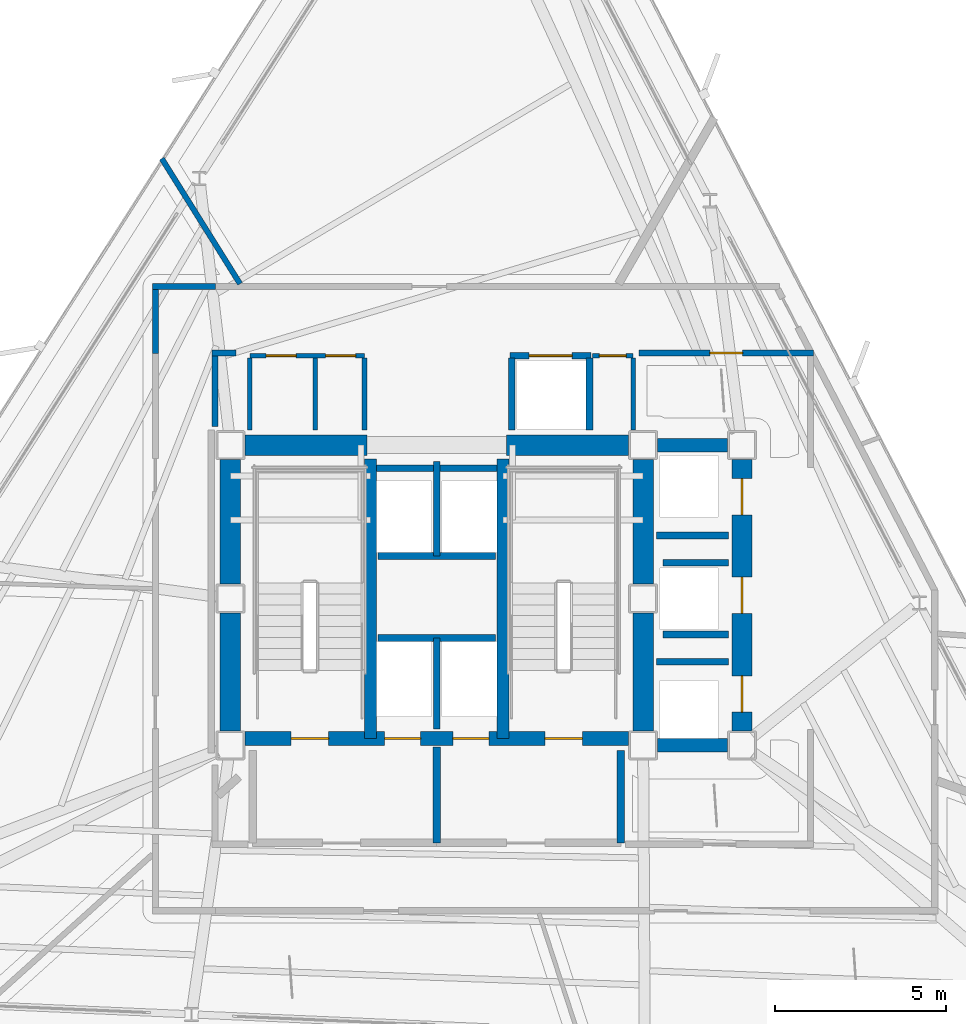
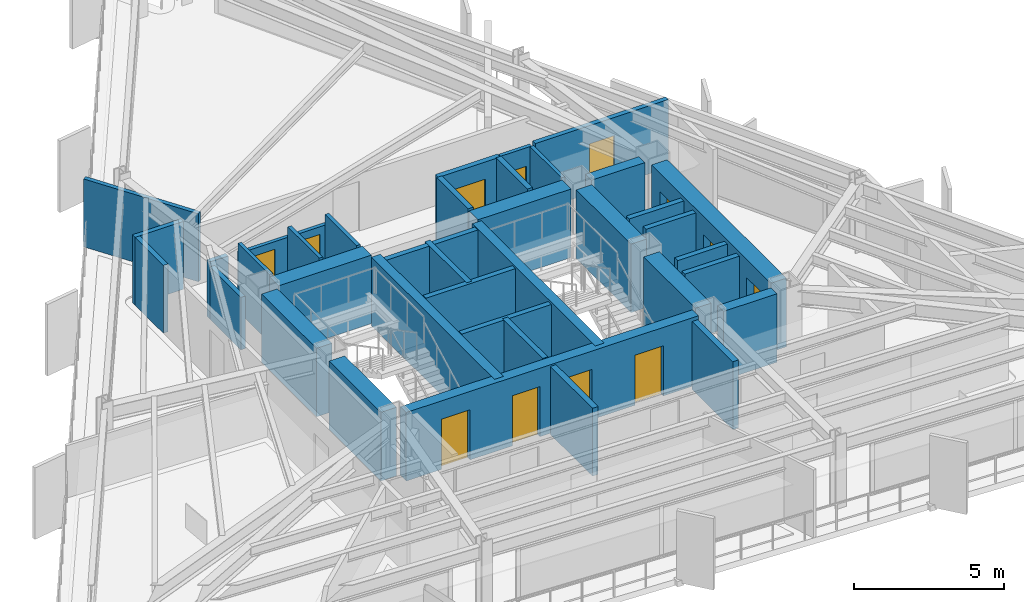
# One storey, part 8 of 12: 38 walls, 12 doors, 12 openings.
"""IFC4 building model written with IfcOpenShell, lengths in metres."""

from ifc_helpers import new_model, si_unit, direction, frame, frame_2d, origin, place, context, subcontext, project, spatial, rectangle, extrude, material, layer, layer_set, type_object, element, fill, save


model = new_model("IFC4")

# Units and contexts
model_context = context("Model", 3, precision=1e-05, world=origin(), true_north=direction((0.0, 1.0)))
body_context = subcontext(model_context, "Body", "Model", "MODEL_VIEW")
ifc_project = project(units=[si_unit("LENGTHUNIT", "METRE"), si_unit("AREAUNIT", "SQUARE_METRE"), si_unit("VOLUMEUNIT", "CUBIC_METRE"), si_unit("PLANEANGLEUNIT", "RADIAN"), si_unit("MASSUNIT", "GRAM", prefix="KILO")], contexts=[model_context])

# Site, building, storey
site_placement = place(None, origin())
site = spatial("IfcSite", under=ifc_project, at=site_placement, CompositionType="ELEMENT")
building_placement = place(site_placement, origin())
building = spatial("IfcBuilding", under=site, at=building_placement, Name="Rocaltana Carrier Exchange", CompositionType="ELEMENT")
storey_placement = place(building_placement, frame((0.0, 0.0, 135.0400390625)))
storey = spatial("IfcBuildingStorey", under=building, at=storey_placement, Name="L42", CompositionType="ELEMENT", Elevation=135.0400390625)

# Walls
ifc_material_1 = material(Name="Double Acoustic Gypsum Partition", Category="gypsum")
ifc_layer_1 = layer(ifc_material_1, 0.159912109375)
ifc_layer_set_1 = layer_set([ifc_layer_1], Name="Double Acoustic Gypsum Partition")
wall_type_1 = type_object("IfcWallType", Name="Acoustic Studio Partition 160 EI60", PredefinedType="PARTITIONING", material=ifc_layer_set_1)
wall_1_placement = place(storey_placement, frame((-5.767578125, 9.22998046875, 0.0), z_axis=(0.0, 0.0, 1.0), x_axis=(-0.529887412725, 0.848067998356, 0.0)))
element("IfcWall", 1, at=wall_1_placement, inside=storey, type_object=wall_type_1, Name="L42 Suite Divider Wall D8", PredefinedType="PARTITIONING", context=body_context, shape_type="SweptSolid", body=[
    extrude(rectangle(XDim=4.3291015625, YDim=0.159912109375, at=frame_2d((2.16455078125, 0.0))), origin(), (0.0, 0.0, 1.0), 2.762939453125),
])
ifc_material_2 = material(Name="Concrete C50/60", Category="concrete")
ifc_layer_2 = layer(ifc_material_2, 0.35009765625)
ifc_layer_set_2 = layer_set([ifc_layer_2], Name="Concrete C50/60")
wall_type_2 = type_object("IfcWallType", Name="Core Internal Shear Wall 350", PredefinedType="SHEAR", material=ifc_layer_set_2)
for number, where, z_axis, x_axis, name in (
    (2, (-1.93994140625, -4.10009765625, 0.0), (0.0, 0.0, 1.0), (0.0, 1.0, 0.0), "L42 Core Shear Wall CW-STW"),
    (3, (1.93994140625, -4.10009765625, 0.0), (0.0, 0.0, 1.0), (0.0, 1.0, 0.0), "L42 Core Shear Wall CW-STE"),
):
    element("IfcWall", number, at=place(storey_placement, frame(where, z_axis=z_axis, x_axis=x_axis)), inside=storey, type_object=wall_type_2, Name=name, PredefinedType="SHEAR", context=body_context, shape_type="SweptSolid", body=[
        extrude(rectangle(XDim=8.2001953125, YDim=0.35009765625, at=frame_2d((4.10009765625, 0.0))), origin(), (0.0, 0.0, 1.0), 2.787841796875),
    ])

# Wall, openings, doors
ifc_material_3 = material(Name="Concrete C50/60", Category="concrete")
ifc_layer_3 = layer(ifc_material_3, 0.39990234375)
ifc_layer_set_3 = layer_set([ifc_layer_3], Name="Concrete C50/60")
wall_type_3 = type_object("IfcWallType", Name="Core Internal Shear Wall 400", PredefinedType="SHEAR", material=ifc_layer_set_3)
wall_2_placement = place(storey_placement, frame((-5.625, -4.10009765625, 0.0), z_axis=(0.0, 0.0, 1.0), x_axis=(1.0, 0.0, 0.0)))
wall_2 = element("IfcWall", 4, at=wall_2_placement, inside=storey, type_object=wall_type_3, Name="L42 Core Shear Wall CW-S", PredefinedType="SHEAR", context=body_context, shape_type="SweptSolid", body=[
    extrude(rectangle(XDim=11.25, YDim=0.39990234375, at=frame_2d((5.625, 0.0))), origin(), (0.0, 0.0, 1.0), 2.787841796875),
])
opening_1_placement = place(wall_2_placement, frame((1.35498046875, 0.0, 0.0)))
opening_1 = element("IfcOpeningElement", 5, at=opening_1_placement, cuts=wall_2, Name="Opening D-ST110", PredefinedType="OPENING", context=body_context, shape_type="SweptSolid", body=[
    extrude(rectangle(XDim=1.10009765625, YDim=2.0400390625, at=frame_2d((0.550048828125, 1.02001953125))), frame((0.0, 0.2099609375, 0.0), z_axis=(0.0, -1.0, 0.0), x_axis=(1.0, 0.0, 0.0)), (0.0, 0.0, 1.0), 0.419921875),
])
opening_2_placement = place(wall_2_placement, frame((8.794921875, 0.0, 0.0)))
opening_2 = element("IfcOpeningElement", 6, at=opening_2_placement, cuts=wall_2, Name="Opening D-ST110", PredefinedType="OPENING", context=body_context, shape_type="SweptSolid", body=[
    extrude(rectangle(XDim=1.10009765625, YDim=2.0400390625, at=frame_2d((0.550048828125, 1.02001953125))), frame((0.0, 0.2099609375, 0.0), z_axis=(0.0, -1.0, 0.0), x_axis=(1.0, 0.0, 0.0)), (0.0, 0.0, 1.0), 0.419921875),
])
opening_3_placement = place(wall_2_placement, frame((4.094970703125, 0.0, 0.0)))
opening_3 = element("IfcOpeningElement", 7, at=opening_3_placement, cuts=wall_2, Name="Opening LD-110", PredefinedType="OPENING", context=body_context, shape_type="SweptSolid", body=[
    extrude(rectangle(XDim=1.06005859375, YDim=2.0400390625, at=frame_2d((0.530029296875, 1.02001953125))), frame((0.0, 0.2099609375, 0.0), z_axis=(0.0, -1.0, 0.0), x_axis=(1.0, 0.0, 0.0)), (0.0, 0.0, 1.0), 0.419921875),
])
opening_4_placement = place(wall_2_placement, frame((6.094970703125, 0.0, 0.0)))
opening_4 = element("IfcOpeningElement", 8, at=opening_4_placement, cuts=wall_2, Name="Opening LD-110", PredefinedType="OPENING", context=body_context, shape_type="SweptSolid", body=[
    extrude(rectangle(XDim=1.06005859375, YDim=2.0400390625, at=frame_2d((0.530029296875, 1.02001953125))), frame((0.0, 0.2099609375, 0.0), z_axis=(0.0, -1.0, 0.0), x_axis=(1.0, 0.0, 0.0)), (0.0, 0.0, 1.0), 0.419921875),
])
ifc_material_4 = material(Name="Hollow Metal Fire Door Assembly", Category="steel")
door_type_1 = type_object("IfcDoorType", Name="Exit Stair Fire Door 1100x2040 FD90S", OperationType="NOTDEFINED", PredefinedType="DOOR", material=ifc_material_4)
door_1_placement = place(opening_1_placement, origin())
door_1 = element("IfcDoor", 9, at=door_1_placement, inside=storey, type_object=door_type_1, Name="L42 Exit Stair ST1 Fire Door", OperationType="SINGLE_SWING_LEFT", OverallHeight=2.0400390625, OverallWidth=1.10009765625, PredefinedType="DOOR", context=body_context, shape_type="SweptSolid", body=[
    extrude(rectangle(XDim=1.10009765625, YDim=2.0400390625, at=frame_2d((0.550048828125, 1.02001953125))), frame((0.0, 0.02490234375, 0.0), z_axis=(0.0, -1.0, 0.0), x_axis=(1.0, 0.0, 0.0)), (0.0, 0.0, 1.0), 0.050048828125),
])
fill(opening_1, door_1)
door_2_placement = place(opening_2_placement, origin())
door_2 = element("IfcDoor", 10, at=door_2_placement, inside=storey, type_object=door_type_1, Name="L42 Exit Stair ST2 Fire Door", OperationType="SINGLE_SWING_RIGHT", OverallHeight=2.0400390625, OverallWidth=1.10009765625, PredefinedType="DOOR", context=body_context, shape_type="SweptSolid", body=[
    extrude(rectangle(XDim=1.10009765625, YDim=2.0400390625, at=frame_2d((0.550048828125, 1.02001953125))), frame((0.0, 0.02490234375, 0.0), z_axis=(0.0, -1.0, 0.0), x_axis=(1.0, 0.0, 0.0)), (0.0, 0.0, 1.0), 0.050048828125),
])
fill(opening_2, door_2)
ifc_material_5 = material(Name="Brushed Stainless Sliding Door Leaf", Category="steel")
door_type_2 = type_object("IfcDoorType", Name="Lift Landing Sliding Door 1060x2040", OperationType="NOTDEFINED", PredefinedType="DOOR", material=ifc_material_5)
door_3_placement = place(opening_3_placement, origin())
door_3 = element("IfcDoor", 11, at=door_3_placement, inside=storey, type_object=door_type_2, Name="L42 Firefighting Lift FFL1 Landing Door", OperationType="SLIDING_TO_LEFT", OverallHeight=2.0400390625, OverallWidth=1.06005859375, PredefinedType="DOOR", context=body_context, shape_type="SweptSolid", body=[
    extrude(rectangle(XDim=1.06005859375, YDim=2.0400390625, at=frame_2d((0.530029296875, 1.02001953125))), frame((0.0, 0.02490234375, 0.0), z_axis=(0.0, -1.0, 0.0), x_axis=(1.0, 0.0, 0.0)), (0.0, 0.0, 1.0), 0.050048828125),
])
fill(opening_3, door_3)
door_4_placement = place(opening_4_placement, origin())
door_4 = element("IfcDoor", 12, at=door_4_placement, inside=storey, type_object=door_type_2, Name="L42 Firefighting Lift FFL2 Landing Door", OperationType="SLIDING_TO_RIGHT", OverallHeight=2.0400390625, OverallWidth=1.06005859375, PredefinedType="DOOR", context=body_context, shape_type="SweptSolid", body=[
    extrude(rectangle(XDim=1.06005859375, YDim=2.0400390625, at=frame_2d((0.530029296875, 1.02001953125))), frame((0.0, 0.02490234375, 0.0), z_axis=(0.0, -1.0, 0.0), x_axis=(1.0, 0.0, 0.0)), (0.0, 0.0, 1.0), 0.050048828125),
])
fill(opening_4, door_4)

# Walls
for number, where, z_axis, x_axis, name in (
    (13, (6.47509765625, 4.5, 0.0), (0.0, 0.0, 1.0), (1.0, 0.0, 0.0), "L42 Core Shear Wall CW-EWN"),
    (14, (6.47509765625, -4.300048828125, 0.0), (0.0, 0.0, 1.0), (1.0, 0.0, 0.0), "L42 Core Shear Wall CW-EWS"),
):
    element("IfcWall", number, at=place(storey_placement, frame(where, z_axis=z_axis, x_axis=x_axis)), inside=storey, type_object=wall_type_3, Name=name, PredefinedType="SHEAR", context=body_context, shape_type="SweptSolid", body=[
        extrude(rectangle(XDim=2.0498046875, YDim=0.39990234375, at=frame_2d((1.02490234375, 0.0))), origin(), (0.0, 0.0, 1.0), 2.787841796875),
    ])
ifc_material_6 = material(Name="Concrete C50/60", Category="concrete")
ifc_layer_4 = layer(ifc_material_6, 0.60009765625)
ifc_layer_set_4 = layer_set([ifc_layer_4], Name="Concrete C50/60")
wall_type_4 = type_object("IfcWallType", Name="Core Shear Wall 600", PredefinedType="SHEAR", material=ifc_layer_set_4)
wall_3_placement = place(storey_placement, frame((-6.050048828125, 0.425048828125, 0.0), z_axis=(0.0, 0.0, 1.0), x_axis=(0.0, 1.0, 0.0)))
element("IfcWall", 15, at=wall_3_placement, inside=storey, type_object=wall_type_4, Name="L42 Core Shear Wall CW-WN", PredefinedType="SHEAR", context=body_context, shape_type="SweptSolid", body=[
    extrude(rectangle(XDim=3.64990234375, YDim=0.60009765625, at=frame_2d((1.824951171875, 0.0))), origin(), (0.0, 0.0, 1.0), 2.787841796875),
])
wall_4_placement = place(storey_placement, frame((-6.050048828125, -3.875, 0.0), z_axis=(0.0, 0.0, 1.0), x_axis=(0.0, 1.0, 0.0)))
element("IfcWall", 16, at=wall_4_placement, inside=storey, type_object=wall_type_4, Name="L42 Core Shear Wall CW-WS", PredefinedType="SHEAR", context=body_context, shape_type="SweptSolid", body=[
    extrude(rectangle(XDim=3.449951171875, YDim=0.60009765625, at=frame_2d((1.72509765625, 0.0))), origin(), (0.0, 0.0, 1.0), 2.787841796875),
])
wall_5_placement = place(storey_placement, frame((6.050048828125, 0.425048828125, 0.0), z_axis=(0.0, 0.0, 1.0), x_axis=(0.0, 1.0, 0.0)))
element("IfcWall", 17, at=wall_5_placement, inside=storey, type_object=wall_type_4, Name="L42 Core Shear Wall CW-EN", PredefinedType="SHEAR", context=body_context, shape_type="SweptSolid", body=[
    extrude(rectangle(XDim=3.64990234375, YDim=0.60009765625, at=frame_2d((1.824951171875, 0.0))), origin(), (0.0, 0.0, 1.0), 2.787841796875),
])
wall_6_placement = place(storey_placement, frame((6.050048828125, -3.875, 0.0), z_axis=(0.0, 0.0, 1.0), x_axis=(0.0, 1.0, 0.0)))
element("IfcWall", 18, at=wall_6_placement, inside=storey, type_object=wall_type_4, Name="L42 Core Shear Wall CW-ES", PredefinedType="SHEAR", context=body_context, shape_type="SweptSolid", body=[
    extrude(rectangle(XDim=3.449951171875, YDim=0.60009765625, at=frame_2d((1.72509765625, 0.0))), origin(), (0.0, 0.0, 1.0), 2.787841796875),
])
for number, where, z_axis, x_axis, name in (
    (19, (-5.625, 4.5, 0.0), (0.0, 0.0, 1.0), (1.0, 0.0, 0.0), "L42 Core Shear Wall CW-N1"),
    (20, (2.050048828125, 4.5, 0.0), (0.0, 0.0, 1.0), (1.0, 0.0, 0.0), "L42 Core Shear Wall CW-N2"),
):
    element("IfcWall", number, at=place(storey_placement, frame(where, z_axis=z_axis, x_axis=x_axis)), inside=storey, type_object=wall_type_4, Name=name, PredefinedType="SHEAR", context=body_context, shape_type="SweptSolid", body=[
        extrude(rectangle(XDim=3.574951171875, YDim=0.60009765625, at=frame_2d((1.78759765625, 0.0))), origin(), (0.0, 0.0, 1.0), 2.787841796875),
    ])

# Wall, openings, doors
wall_7_placement = place(storey_placement, frame((8.949951171875, -3.875, 0.0), z_axis=(0.0, 0.0, 1.0), x_axis=(0.0, 1.0, 0.0)))
wall_7 = element("IfcWall", 21, at=wall_7_placement, inside=storey, type_object=wall_type_4, Name="L42 Core Shear Wall CW-EW", PredefinedType="SHEAR", context=body_context, shape_type="SweptSolid", body=[
    extrude(rectangle(XDim=7.949951171875, YDim=0.60009765625, at=frame_2d((3.97509765625, 0.0))), origin(), (0.0, 0.0, 1.0), 2.787841796875),
])
opening_5_placement = place(wall_7_placement, frame((0.550048828125, 0.0, 0.0)))
opening_5 = element("IfcOpeningElement", 22, at=opening_5_placement, cuts=wall_7, Name="Opening LD-110", PredefinedType="OPENING", context=body_context, shape_type="SweptSolid", body=[
    extrude(rectangle(XDim=1.06005859375, YDim=2.0400390625, at=frame_2d((0.530029296875, 1.02001953125))), frame((0.0, 0.31005859375, 0.0), z_axis=(0.0, -1.0, 0.0), x_axis=(1.0, 0.0, 0.0)), (0.0, 0.0, 1.0), 0.6201171875),
])
opening_6_placement = place(wall_7_placement, frame((3.445068359375, 0.0, 0.0)))
opening_6 = element("IfcOpeningElement", 23, at=opening_6_placement, cuts=wall_7, Name="Opening LD-110", PredefinedType="OPENING", context=body_context, shape_type="SweptSolid", body=[
    extrude(rectangle(XDim=1.06005859375, YDim=2.0400390625, at=frame_2d((0.530029296875, 1.02001953125))), frame((0.0, 0.31005859375, 0.0), z_axis=(0.0, -1.0, 0.0), x_axis=(1.0, 0.0, 0.0)), (0.0, 0.0, 1.0), 0.6201171875),
])
opening_7_placement = place(wall_7_placement, frame((6.330078125, 0.0, 0.0)))
opening_7 = element("IfcOpeningElement", 24, at=opening_7_placement, cuts=wall_7, Name="Opening LD-110", PredefinedType="OPENING", context=body_context, shape_type="SweptSolid", body=[
    extrude(rectangle(XDim=1.06005859375, YDim=2.0400390625, at=frame_2d((0.530029296875, 1.02001953125))), frame((0.0, 0.31005859375, 0.0), z_axis=(0.0, -1.0, 0.0), x_axis=(1.0, 0.0, 0.0)), (0.0, 0.0, 1.0), 0.6201171875),
])
door_5_placement = place(opening_5_placement, origin())
door_5 = element("IfcDoor", 25, at=door_5_placement, inside=storey, type_object=door_type_2, Name="L42 Mid-Rise Lift PL-M1 Landing Door", OperationType="SLIDING_TO_LEFT", OverallHeight=2.0400390625, OverallWidth=1.06005859375, PredefinedType="DOOR", context=body_context, shape_type="SweptSolid", body=[
    extrude(rectangle(XDim=1.06005859375, YDim=2.0400390625, at=frame_2d((0.530029296875, 1.02001953125))), frame((0.0, 0.02490234375, 0.0), z_axis=(0.0, -1.0, 0.0), x_axis=(1.0, 0.0, 0.0)), (0.0, 0.0, 1.0), 0.050048828125),
])
fill(opening_5, door_5)
door_6_placement = place(opening_6_placement, origin())
door_6 = element("IfcDoor", 26, at=door_6_placement, inside=storey, type_object=door_type_2, Name="L42 Mid-Rise Lift PL-M2 Landing Door", OperationType="SLIDING_TO_RIGHT", OverallHeight=2.0400390625, OverallWidth=1.06005859375, PredefinedType="DOOR", context=body_context, shape_type="SweptSolid", body=[
    extrude(rectangle(XDim=1.06005859375, YDim=2.0400390625, at=frame_2d((0.530029296875, 1.02001953125))), frame((0.0, 0.02490234375, 0.0), z_axis=(0.0, -1.0, 0.0), x_axis=(1.0, 0.0, 0.0)), (0.0, 0.0, 1.0), 0.050048828125),
])
fill(opening_6, door_6)
door_7_placement = place(opening_7_placement, origin())
door_7 = element("IfcDoor", 27, at=door_7_placement, inside=storey, type_object=door_type_2, Name="L42 Mid-Rise Lift PL-M3 Landing Door", OperationType="SLIDING_TO_LEFT", OverallHeight=2.0400390625, OverallWidth=1.06005859375, PredefinedType="DOOR", context=body_context, shape_type="SweptSolid", body=[
    extrude(rectangle(XDim=1.06005859375, YDim=2.0400390625, at=frame_2d((0.530029296875, 1.02001953125))), frame((0.0, 0.02490234375, 0.0), z_axis=(0.0, -1.0, 0.0), x_axis=(1.0, 0.0, 0.0)), (0.0, 0.0, 1.0), 0.050048828125),
])
fill(opening_7, door_7)

# Walls
ifc_material_7 = material(Name="Gypsum & Steel Stud Partition", Category="steel")
ifc_layer_5 = layer(ifc_material_7, 0.179931640625)
ifc_layer_set_5 = layer_set([ifc_layer_5], Name="Gypsum & Steel Stud Partition")
wall_type_5 = type_object("IfcWallType", Name="Corridor Fire Partition 180 EI60", PredefinedType="PARTITIONING", material=ifc_layer_set_5)
wall_8_placement = place(storey_placement, frame((-8.25, 7.179931640625, 0.0), z_axis=(0.0, 0.0, 1.0), x_axis=(0.0, 1.0, 0.0)))
element("IfcWall", 28, at=wall_8_placement, inside=storey, type_object=wall_type_5, Name="L42 Corridor Partition 4", PredefinedType="PARTITIONING", context=body_context, shape_type="SweptSolid", body=[
    extrude(rectangle(XDim=1.880126953125, YDim=0.179931640625, at=frame_2d((0.93994140625, 0.0))), origin(), (0.0, 0.0, 1.0), 2.762939453125),
])
wall_9_placement = place(storey_placement, frame((-8.340087890625, 9.14990234375, 0.0), z_axis=(0.0, 0.0, 1.0), x_axis=(1.0, 0.0, 0.0)))
element("IfcWall", 29, at=wall_9_placement, inside=storey, type_object=wall_type_5, Name="L42 Corridor Partition 5", PredefinedType="PARTITIONING", context=body_context, shape_type="SweptSolid", body=[
    extrude(rectangle(XDim=1.860107421875, YDim=0.179931640625, at=frame_2d((0.93017578125, 0.0))), origin(), (0.0, 0.0, 1.0), 2.762939453125),
])

# Wall, opening, door
wall_10_placement = place(storey_placement, frame((11.050048828125, 7.199951171875, 0.0), z_axis=(0.0, 0.0, 1.0), x_axis=(-1.0, 0.0, 0.0)))
wall_10 = element("IfcWall", 30, at=wall_10_placement, inside=storey, type_object=wall_type_5, Name="L42 Corridor Partition 15", PredefinedType="PARTITIONING", context=body_context, shape_type="SweptSolid", body=[
    extrude(rectangle(XDim=5.1201171875, YDim=0.179931640625, at=frame_2d((2.56005859375, 0.0))), origin(), (0.0, 0.0, 1.0), 2.762939453125),
])
opening_8_placement = place(wall_10_placement, frame((2.080078125, 0.0, 0.0)))
opening_8 = element("IfcOpeningElement", 31, at=opening_8_placement, cuts=wall_10, Name="Opening D-RM098", PredefinedType="OPENING", context=body_context, shape_type="SweptSolid", body=[
    extrude(rectangle(XDim=0.9599609375, YDim=2.02001953125, at=frame_2d((0.47998046875, 1.010009765625))), frame((0.0, 0.099853515625, 0.0), z_axis=(0.0, -1.0, 0.0), x_axis=(1.0, 0.0, 0.0)), (0.0, 0.0, 1.0), 0.199951171875),
])
ifc_material_8 = material(Name="Engineered Hardwood Timber", Category="wood")
door_type_3 = type_object("IfcDoorType", Name="Workspace Single Door 960x2020", OperationType="NOTDEFINED", PredefinedType="DOOR", material=ifc_material_8)
door_8_placement = place(opening_8_placement, origin())
door_8 = element("IfcDoor", 32, at=door_8_placement, inside=storey, type_object=door_type_3, Name="L42 Network Engineering Studio Entrance Door", OperationType="SINGLE_SWING_LEFT", OverallHeight=2.02001953125, OverallWidth=0.9599609375, PredefinedType="DOOR", context=body_context, shape_type="SweptSolid", body=[
    extrude(rectangle(XDim=0.9599609375, YDim=2.02001953125, at=frame_2d((0.47998046875, 1.010009765625))), frame((0.0, 0.02490234375, 0.0), z_axis=(0.0, -1.0, 0.0), x_axis=(1.0, 0.0, 0.0)), (0.0, 0.0, 1.0), 0.050048828125),
])
fill(opening_8, door_8)

# Walls
wall_11_placement = place(storey_placement, frame((-5.8798828125, 7.199951171875, 0.0), z_axis=(0.0, 0.0, 1.0), x_axis=(-1.0, 0.0, 0.0)))
element("IfcWall", 33, at=wall_11_placement, inside=storey, type_object=wall_type_5, Name="L42 Corridor Partition 16", PredefinedType="PARTITIONING", context=body_context, shape_type="SweptSolid", body=[
    extrude(rectangle(XDim=0.710205078125, YDim=0.179931640625, at=frame_2d((0.35498046875, 0.0))), origin(), (0.0, 0.0, 1.0), 2.330078125),
])
wall_12_placement = place(storey_placement, frame((-6.5, 7.110107421875, 0.0), z_axis=(0.0, 0.0, 1.0), x_axis=(0.0, -1.0, 0.0)))
element("IfcWall", 34, at=wall_12_placement, inside=storey, type_object=wall_type_5, Name="L42 Corridor Partition 17", PredefinedType="PARTITIONING", context=body_context, shape_type="SweptSolid", body=[
    extrude(rectangle(XDim=2.058349609375, YDim=0.179931640625, at=frame_2d((1.029296875, 0.0))), origin(), (0.0, 0.0, 1.0), 2.132080078125),
])
ifc_material_9 = material(Name="Autoclaved Aerated Concrete C30/37", Category="concrete")
ifc_layer_6 = layer(ifc_material_9, 0.219970703125)
ifc_layer_set_6 = layer_set([ifc_layer_6], Name="Autoclaved Aerated Concrete C30/37")
wall_type_6 = type_object("IfcWallType", Name="Firefighting Lobby Wall 220 EI120", PredefinedType="PARTITIONING", material=ifc_layer_set_6)
wall_13_placement = place(storey_placement, frame((5.39990234375, -7.159912109375, 0.0), z_axis=(0.0, 0.0, 1.0), x_axis=(0.0, 1.0, 0.0)))
element("IfcWall", 35, at=wall_13_placement, inside=storey, type_object=wall_type_6, Name="L42 FFL Lobby 2 East Wall", PredefinedType="PARTITIONING", context=body_context, shape_type="SweptSolid", body=[
    extrude(rectangle(XDim=2.7099609375, YDim=0.219970703125, at=frame_2d((1.35498046875, 0.0))), origin(), (0.0, 0.0, 1.0), 2.762939453125),
])
wall_14_placement = place(storey_placement, frame((0.0, -7.159912109375, 0.0), z_axis=(0.0, 0.0, 1.0), x_axis=(0.0, 1.0, 0.0)))
element("IfcWall", 36, at=wall_14_placement, inside=storey, type_object=wall_type_6, Name="L42 FFL Lobby Centre Wall", PredefinedType="PARTITIONING", context=body_context, shape_type="SweptSolid", body=[
    extrude(rectangle(XDim=2.809814453125, YDim=0.219970703125, at=frame_2d((1.40478515625, 0.0))), origin(), (0.0, 0.0, 1.0), 2.762939453125),
])
ifc_material_10 = material(Name="Reinforced Concrete Block C35/45", Category="concrete")
ifc_layer_7 = layer(ifc_material_10, 0.199951171875)
ifc_layer_set_7 = layer_set([ifc_layer_7], Name="Reinforced Concrete Block C35/45")
wall_type_7 = type_object("IfcWallType", Name="Lift Hoistway Enclosure Wall 200 EI120", PredefinedType="PARTITIONING", material=ifc_layer_set_7)
wall_15_placement = place(storey_placement, frame((0.0, -3.820068359375, 0.0), z_axis=(0.0, 0.0, 1.0), x_axis=(0.0, 1.0, 0.0)))
element("IfcWall", 37, at=wall_15_placement, inside=storey, type_object=wall_type_7, Name="L42 FFL Shaft Divider", PredefinedType="PARTITIONING", context=body_context, shape_type="SweptSolid", body=[
    extrude(rectangle(XDim=2.670166015625, YDim=0.199951171875, at=frame_2d((1.3349609375, 0.0))), origin(), (0.0, 0.0, 1.0), 2.762939453125),
])
wall_16_placement = place(storey_placement, frame((-1.719970703125, -1.14990234375, 0.0), z_axis=(0.0, 0.0, 1.0), x_axis=(1.0, 0.0, 0.0)))
element("IfcWall", 38, at=wall_16_placement, inside=storey, type_object=wall_type_7, Name="L42 FFL Shaft Back Wall", PredefinedType="PARTITIONING", context=body_context, shape_type="SweptSolid", body=[
    extrude(rectangle(XDim=3.43994140625, YDim=0.199951171875, at=frame_2d((1.719970703125, 0.0))), origin(), (0.0, 0.0, 1.0), 2.762939453125),
])
wall_17_placement = place(storey_placement, frame((0.0, 1.25, 0.0), z_axis=(0.0, 0.0, 1.0), x_axis=(0.0, 1.0, 0.0)))
element("IfcWall", 39, at=wall_17_placement, inside=storey, type_object=wall_type_7, Name="L42 High-Rise Shaft Divider", PredefinedType="PARTITIONING", context=body_context, shape_type="SweptSolid", body=[
    extrude(rectangle(XDim=2.77001953125, YDim=0.199951171875, at=frame_2d((1.385009765625, 0.0))), origin(), (0.0, 0.0, 1.0), 2.762939453125),
])
wall_18_placement = place(storey_placement, frame((-1.719970703125, 1.25, 0.0), z_axis=(0.0, 0.0, 1.0), x_axis=(1.0, 0.0, 0.0)))
element("IfcWall", 40, at=wall_18_placement, inside=storey, type_object=wall_type_7, Name="L42 High-Rise Shaft Back Wall", PredefinedType="PARTITIONING", context=body_context, shape_type="SweptSolid", body=[
    extrude(rectangle(XDim=3.43994140625, YDim=0.199951171875, at=frame_2d((1.719970703125, 0.0))), origin(), (0.0, 0.0, 1.0), 2.762939453125),
])
wall_19_placement = place(storey_placement, frame((-1.760009765625, 3.820068359375, 0.0), z_axis=(0.0, 0.0, 1.0), x_axis=(1.0, 0.0, 0.0)))
element("IfcWall", 41, at=wall_19_placement, inside=storey, type_object=wall_type_7, Name="L42 High-Rise Lift Front Wall", PredefinedType="PARTITIONING", context=body_context, shape_type="SweptSolid", body=[
    extrude(rectangle(XDim=3.52001953125, YDim=0.199951171875, at=frame_2d((1.760009765625, 0.0))), origin(), (0.0, 0.0, 1.0), 2.762939453125),
])
for number, where, z_axis, x_axis, name in (
    (42, (2.199951171875, 4.949951171875, 0.0), (0.0, 0.0, 1.0), (0.0, 1.0, 0.0), "L42 Goods Lift West Wall"),
    (43, (4.47998046875, 4.949951171875, 0.0), (0.0, 0.0, 1.0), (0.0, 1.0, 0.0), "L42 Goods Lift East Wall"),
):
    element("IfcWall", number, at=place(storey_placement, frame(where, z_axis=z_axis, x_axis=x_axis)), inside=storey, type_object=wall_type_7, Name=name, PredefinedType="PARTITIONING", context=body_context, shape_type="SweptSolid", body=[
        extrude(rectangle(XDim=2.10009765625, YDim=0.199951171875, at=frame_2d((1.050048828125, 0.0))), origin(), (0.0, 0.0, 1.0), 2.762939453125),
    ])

# Wall, opening, door
wall_20_placement = place(storey_placement, frame((2.14990234375, 7.1201171875, 0.0), z_axis=(0.0, 0.0, 1.0), x_axis=(1.0, 0.0, 0.0)))
wall_20 = element("IfcWall", 44, at=wall_20_placement, inside=storey, type_object=wall_type_7, Name="L42 Goods Lift Front Wall", PredefinedType="PARTITIONING", context=body_context, shape_type="SweptSolid", body=[
    extrude(rectangle(XDim=2.380126953125, YDim=0.199951171875, at=frame_2d((1.18994140625, 0.0))), origin(), (0.0, 0.0, 1.0), 2.762939453125),
])
opening_9_placement = place(wall_20_placement, frame((0.56005859375, 0.0, 0.0)))
opening_9 = element("IfcOpeningElement", 45, at=opening_9_placement, cuts=wall_20, Name="Opening LD-130", PredefinedType="OPENING", context=body_context, shape_type="SweptSolid", body=[
    extrude(rectangle(XDim=1.260009765625, YDim=2.06005859375, at=frame_2d((0.6298828125, 1.030029296875))), frame((0.0, 0.10986328125, 0.0), z_axis=(0.0, -1.0, 0.0), x_axis=(1.0, 0.0, 0.0)), (0.0, 0.0, 1.0), 0.219970703125),
])
ifc_material_11 = material(Name="Brushed Stainless Sliding Door Leaf", Category="steel")
door_type_4 = type_object("IfcDoorType", Name="Goods Lift Landing Sliding Door 1260x2060", OperationType="NOTDEFINED", PredefinedType="DOOR", material=ifc_material_11)
door_9_placement = place(opening_9_placement, origin())
door_9 = element("IfcDoor", 46, at=door_9_placement, inside=storey, type_object=door_type_4, Name="L42 Goods Lift GL-1 Landing Door", OperationType="SLIDING_TO_LEFT", OverallHeight=2.06005859375, OverallWidth=1.260009765625, PredefinedType="DOOR", context=body_context, shape_type="SweptSolid", body=[
    extrude(rectangle(XDim=1.260009765625, YDim=2.06005859375, at=frame_2d((0.6298828125, 1.030029296875))), frame((0.0, 0.02490234375, 0.0), z_axis=(0.0, -1.0, 0.0), x_axis=(1.0, 0.0, 0.0)), (0.0, 0.0, 1.0), 0.050048828125),
])
fill(opening_9, door_9)

# Walls
for number, where, z_axis, x_axis, name in (
    (47, (6.449951171875, -1.85009765625, 0.0), (0.0, 0.0, 1.0), (1.0, 0.0, 0.0), "L42 Mid-Rise Shaft Divider 1"),
    (48, (6.449951171875, 1.85009765625, 0.0), (0.0, 0.0, 1.0), (1.0, 0.0, 0.0), "L42 Mid-Rise Shaft Divider 2"),
):
    element("IfcWall", number, at=place(storey_placement, frame(where, z_axis=z_axis, x_axis=x_axis)), inside=storey, type_object=wall_type_7, Name=name, PredefinedType="PARTITIONING", context=body_context, shape_type="SweptSolid", body=[
        extrude(rectangle(XDim=2.10009765625, YDim=0.199951171875, at=frame_2d((1.050048828125, 0.0))), origin(), (0.0, 0.0, 1.0), 2.762939453125),
    ])
for number, where, z_axis, x_axis, name in (
    (49, (6.639892578125, -1.050048828125, 0.0), (0.0, 0.0, 1.0), (1.0, 0.0, 0.0), "L42 Mid-Rise Center Shaft Wall South"),
    (50, (6.639892578125, 1.050048828125, 0.0), (0.0, 0.0, 1.0), (1.0, 0.0, 0.0), "L42 Mid-Rise Center Shaft Wall North"),
):
    element("IfcWall", number, at=place(storey_placement, frame(where, z_axis=z_axis, x_axis=x_axis)), inside=storey, type_object=wall_type_7, Name=name, PredefinedType="PARTITIONING", context=body_context, shape_type="SweptSolid", body=[
        extrude(rectangle(XDim=1.91015625, YDim=0.199951171875, at=frame_2d((0.955078125, 0.0))), origin(), (0.0, 0.0, 1.0), 2.762939453125),
    ])
ifc_material_12 = material(Name="Moisture-Resistant Masonry C30/37", Category="masonry")
ifc_layer_8 = layer(ifc_material_12, 0.139892578125)
ifc_layer_set_8 = layer_set([ifc_layer_8], Name="Moisture-Resistant Masonry C30/37")
wall_type_8 = type_object("IfcWallType", Name="Wet-Area Sanitary Partition 140", PredefinedType="PARTITIONING", material=ifc_layer_set_8)
for number, where, z_axis, x_axis, name in (
    (51, (-5.47998046875, 4.949951171875, 0.0), (0.0, 0.0, 1.0), (0.0, 1.0, 0.0), "L42 Sanitary West Wall"),
    (52, (-3.56005859375, 4.949951171875, 0.0), (0.0, 0.0, 1.0), (0.0, 1.0, 0.0), "L42 Sanitary Divider"),
    (53, (-2.1201171875, 4.949951171875, 0.0), (0.0, 0.0, 1.0), (0.0, 1.0, 0.0), "L42 Sanitary East Wall"),
):
    element("IfcWall", number, at=place(storey_placement, frame(where, z_axis=z_axis, x_axis=x_axis)), inside=storey, type_object=wall_type_8, Name=name, PredefinedType="PARTITIONING", context=body_context, shape_type="SweptSolid", body=[
        extrude(rectangle(XDim=2.10009765625, YDim=0.139892578125, at=frame_2d((1.050048828125, 0.0))), origin(), (0.0, 0.0, 1.0), 2.762939453125),
    ])

# Wall, openings, doors
wall_21_placement = place(storey_placement, frame((-5.47998046875, 7.1201171875, 0.0), z_axis=(0.0, 0.0, 1.0), x_axis=(1.0, 0.0, 0.0)))
wall_21 = element("IfcWall", 54, at=wall_21_placement, inside=storey, type_object=wall_type_8, Name="L42 Sanitary North Wall", PredefinedType="PARTITIONING", context=body_context, shape_type="SweptSolid", body=[
    extrude(rectangle(XDim=3.35986328125, YDim=0.139892578125, at=frame_2d((1.679931640625, 0.0))), origin(), (0.0, 0.0, 1.0), 2.330078125),
])
opening_10_placement = place(wall_21_placement, frame((0.47998046875, 0.0, 0.0)))
opening_10 = element("IfcOpeningElement", 55, at=opening_10_placement, cuts=wall_21, Name="Opening D-WC090", PredefinedType="OPENING", context=body_context, shape_type="SweptSolid", body=[
    extrude(rectangle(XDim=0.8798828125, YDim=2.02001953125, at=frame_2d((0.43994140625, 1.010009765625))), frame((0.0, 0.079833984375, 0.0), z_axis=(0.0, -1.0, 0.0), x_axis=(1.0, 0.0, 0.0)), (0.0, 0.0, 1.0), 0.159912109375),
])
opening_11_placement = place(wall_21_placement, frame((2.219970703125, 0.0, 0.0)))
opening_11 = element("IfcOpeningElement", 56, at=opening_11_placement, cuts=wall_21, Name="Opening D-WC090", PredefinedType="OPENING", context=body_context, shape_type="SweptSolid", body=[
    extrude(rectangle(XDim=0.8798828125, YDim=2.02001953125, at=frame_2d((0.43994140625, 1.010009765625))), frame((0.0, 0.079833984375, 0.0), z_axis=(0.0, -1.0, 0.0), x_axis=(1.0, 0.0, 0.0)), (0.0, 0.0, 1.0), 0.159912109375),
])
ifc_material_13 = material(Name="High-Pressure Laminate Timber", Category="wood")
door_type_5 = type_object("IfcDoorType", Name="Restroom & Accessible WC Door 880x2020", OperationType="NOTDEFINED", PredefinedType="DOOR", material=ifc_material_13)
door_10_placement = place(opening_10_placement, origin())
door_10 = element("IfcDoor", 57, at=door_10_placement, inside=storey, type_object=door_type_5, Name="L42 Accessible Toilet Door", OperationType="SINGLE_SWING_LEFT", OverallHeight=2.02001953125, OverallWidth=0.8798828125, PredefinedType="DOOR", context=body_context, shape_type="SweptSolid", body=[
    extrude(rectangle(XDim=0.8798828125, YDim=2.02001953125, at=frame_2d((0.43994140625, 1.010009765625))), frame((0.0, 0.02490234375, 0.0), z_axis=(0.0, -1.0, 0.0), x_axis=(1.0, 0.0, 0.0)), (0.0, 0.0, 1.0), 0.050048828125),
])
fill(opening_10, door_10)
door_11_placement = place(opening_11_placement, origin())
door_11 = element("IfcDoor", 58, at=door_11_placement, inside=storey, type_object=door_type_5, Name="L42 Staff Restroom Door", OperationType="SINGLE_SWING_RIGHT", OverallHeight=2.02001953125, OverallWidth=0.8798828125, PredefinedType="DOOR", context=body_context, shape_type="SweptSolid", body=[
    extrude(rectangle(XDim=0.8798828125, YDim=2.02001953125, at=frame_2d((0.43994140625, 1.010009765625))), frame((0.0, 0.02490234375, 0.0), z_axis=(0.0, -1.0, 0.0), x_axis=(1.0, 0.0, 0.0)), (0.0, 0.0, 1.0), 0.050048828125),
])
fill(opening_11, door_11)

# Wall
wall_22_placement = place(storey_placement, frame((5.760009765625, 4.949951171875, 0.0), z_axis=(0.0, 0.0, 1.0), x_axis=(0.0, 1.0, 0.0)))
element("IfcWall", 59, at=wall_22_placement, inside=storey, type_object=wall_type_8, Name="L42 Riser East Wall", PredefinedType="PARTITIONING", context=body_context, shape_type="SweptSolid", body=[
    extrude(rectangle(XDim=2.10009765625, YDim=0.139892578125, at=frame_2d((1.050048828125, 0.0))), origin(), (0.0, 0.0, 1.0), 2.762939453125),
])

# Wall, opening, door
wall_23_placement = place(storey_placement, frame((4.56005859375, 7.1201171875, 0.0), z_axis=(0.0, 0.0, 1.0), x_axis=(1.0, 0.0, 0.0)))
wall_23 = element("IfcWall", 60, at=wall_23_placement, inside=storey, type_object=wall_type_8, Name="L42 Riser North Wall", PredefinedType="PARTITIONING", context=body_context, shape_type="SweptSolid", body=[
    extrude(rectangle(XDim=1.199951171875, YDim=0.139892578125, at=frame_2d((0.60009765625, 0.0))), origin(), (0.0, 0.0, 1.0), 2.762939453125),
])
opening_12_placement = place(wall_23_placement, frame((0.2099609375, 0.0, 0.0)))
opening_12 = element("IfcOpeningElement", 61, at=opening_12_placement, cuts=wall_23, Name="Opening D-RS082", PredefinedType="OPENING", context=body_context, shape_type="SweptSolid", body=[
    extrude(rectangle(XDim=0.780029296875, YDim=2.010009765625, at=frame_2d((0.39013671875, 1.0048828125))), frame((0.0, 0.079833984375, 0.0), z_axis=(0.0, -1.0, 0.0), x_axis=(1.0, 0.0, 0.0)), (0.0, 0.0, 1.0), 0.159912109375),
])
ifc_material_14 = material(Name="Hollow Metal Access Door Leaf", Category="steel")
door_type_6 = type_object("IfcDoorType", Name="Riser & Service Closet Door 780x2010", OperationType="NOTDEFINED", PredefinedType="DOOR", material=ifc_material_14)
door_12_placement = place(opening_12_placement, origin())
door_12 = element("IfcDoor", 62, at=door_12_placement, inside=storey, type_object=door_type_6, Name="L42 Fibre Riser Closet Door", OperationType="SINGLE_SWING_LEFT", OverallHeight=2.010009765625, OverallWidth=0.780029296875, PredefinedType="DOOR", context=body_context, shape_type="SweptSolid", body=[
    extrude(rectangle(XDim=0.780029296875, YDim=2.010009765625, at=frame_2d((0.39013671875, 1.0048828125))), frame((0.0, 0.02490234375, 0.0), z_axis=(0.0, -1.0, 0.0), x_axis=(1.0, 0.0, 0.0)), (0.0, 0.0, 1.0), 0.050048828125),
])
fill(opening_12, door_12)

save(model, "model.ifc")
